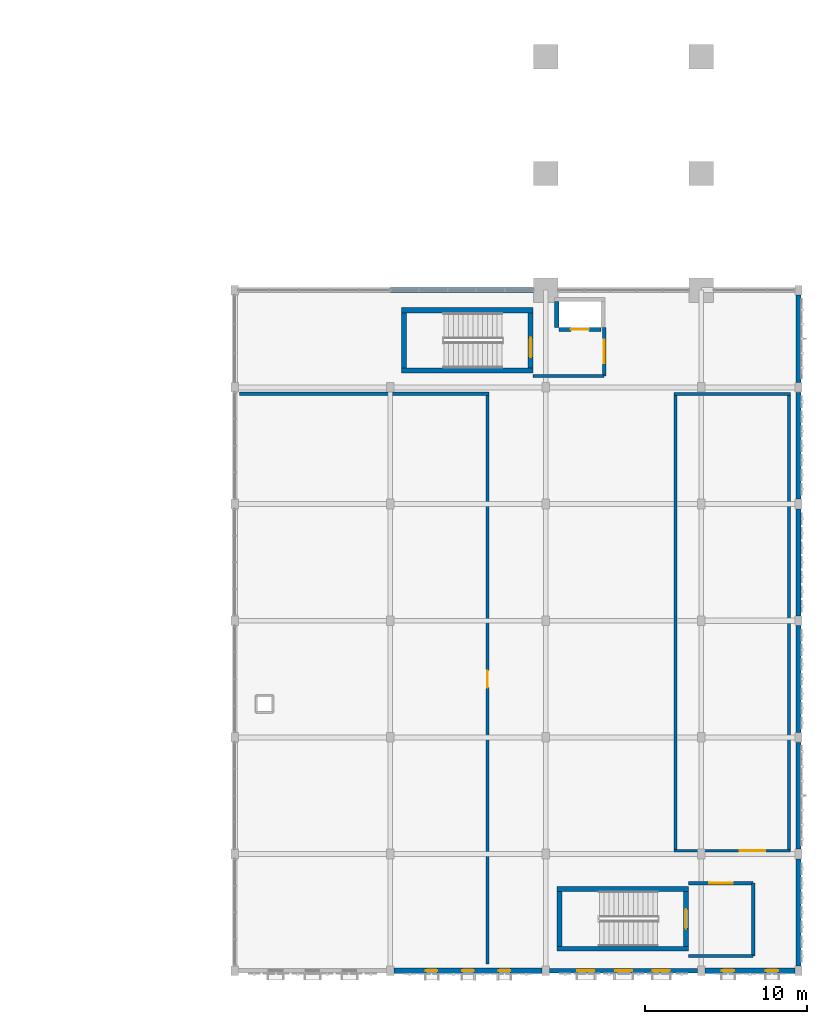
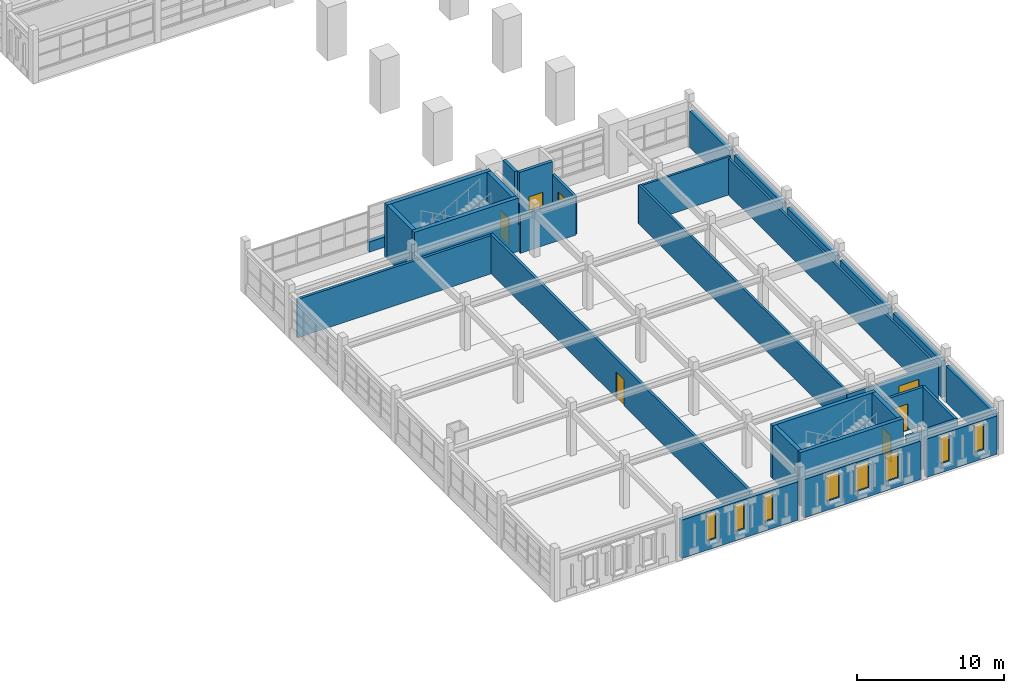
# One storey, part 49 of 69: 31 walls, 8 windows, 7 doors, 15 openings.
"""IFC4 building model written with IfcOpenShell, lengths in metres."""

from ifc_helpers import new_model, si_unit, direction, frame, frame_2d, origin, place, context, subcontext, project, spatial, rectangle, extrude, material, layer, layer_set, type_object, element, fill, save


model = new_model("IFC4")

# Units and contexts
model_context = context("Model", 3, precision=1e-05, world=origin(), true_north=direction((0.0, 1.0)))
body_context = subcontext(model_context, "Body", "Model", "MODEL_VIEW")
ifc_project = project(units=[si_unit("LENGTHUNIT", "METRE"), si_unit("AREAUNIT", "SQUARE_METRE"), si_unit("VOLUMEUNIT", "CUBIC_METRE"), si_unit("PLANEANGLEUNIT", "RADIAN"), si_unit("MASSUNIT", "GRAM", prefix="KILO")], contexts=[model_context])

# Site, building, storey
site_placement = place(None, origin())
site = spatial("IfcSite", under=ifc_project, at=site_placement, CompositionType="ELEMENT")
building_placement = place(site_placement, origin())
building = spatial("IfcBuilding", under=site, at=building_placement, Name="Nzembalo Square Collegiate School", CompositionType="ELEMENT")
storey_placement = place(building_placement, frame((0.0, 0.0, 5.10009765625)))
storey = spatial("IfcBuildingStorey", under=building, at=storey_placement, Name="L01", CompositionType="ELEMENT", Elevation=5.10009765625)

# Walls
ifc_material_1 = material(Name="Concrete C40/50", Category="concrete")
ifc_layer_1 = layer(ifc_material_1, 0.320068359375, Name="Concrete C40/50")
ifc_layer_set_1 = layer_set([ifc_layer_1], Name="Concrete C40/50")
wall_type_1 = type_object("IfcWallType", Name="SW01", PredefinedType="SHEAR", material=ifc_layer_set_1)
wall_1_placement = place(storey_placement, frame((141.239990234375, 45.60009765625, 0.0), z_axis=(0.0, 0.0, 1.0), x_axis=(0.0, 1.0, 0.0)))
element("IfcWall", 1, at=wall_1_placement, inside=storey, type_object=wall_type_1, Name="Core C5 stair shear wall W L01", PredefinedType="SHEAR", context=body_context, shape_type="SweptSolid", body=[
    extrude(rectangle(XDim=3.39990234375, YDim=0.320068359375, at=frame_2d((1.699951171875, 0.0))), origin(), (0.0, 0.0, 1.0), 4.419921875),
])
for number, where, z_axis, x_axis, name in (
    (2, (141.080078125, 45.43994140625, 0.0), (0.0, 0.0, 1.0), (1.0, 0.0, 0.0), "Core C5 stair shear wall S L01"),
    (3, (141.080078125, 49.159912109375, 0.0), (0.0, 0.0, 1.0), (1.0, 0.0, 0.0), "Core C5 stair shear wall N L01"),
):
    element("IfcWall", number, at=place(storey_placement, frame(where, z_axis=z_axis, x_axis=x_axis)), inside=storey, type_object=wall_type_1, Name=name, PredefinedType="SHEAR", context=body_context, shape_type="SweptSolid", body=[
        extrude(rectangle(XDim=8.139892578125, YDim=0.320068359375, at=frame_2d((4.06982421875, 0.0))), origin(), (0.0, 0.0, 1.0), 4.419921875),
    ])

# Wall, opening, door
wall_2_placement = place(storey_placement, frame((149.06005859375, 45.60009765625, 0.0), z_axis=(0.0, 0.0, 1.0), x_axis=(0.0, 1.0, 0.0)))
wall_2 = element("IfcWall", 4, at=wall_2_placement, inside=storey, type_object=wall_type_1, Name="Core C5 stair shear wall E L01", PredefinedType="SHEAR", context=body_context, shape_type="SweptSolid", body=[
    extrude(rectangle(XDim=3.39990234375, YDim=0.320068359375, at=frame_2d((1.699951171875, 0.0))), origin(), (0.0, 0.0, 1.0), 4.419921875),
])
opening_1_placement = place(wall_2_placement, frame((0.64990234375, 0.0, 0.0)))
opening_1 = element("IfcOpeningElement", 5, at=opening_1_placement, cuts=wall_2, Name="Opening FD-048", PredefinedType="OPENING", context=body_context, shape_type="SweptSolid", body=[
    extrude(rectangle(XDim=1.199951171875, YDim=2.199951171875, at=frame_2d((0.60009765625, 1.10009765625))), frame((0.0, 0.169921875, 0.0), z_axis=(0.0, -1.0, 0.0), x_axis=(1.0, 0.0, 0.0)), (0.0, 0.0, 1.0), 0.340087890625),
])
ifc_material_2 = material(Name="Fire-rated steel acoustic door", Category="steel")
door_type_1 = type_object("IfcDoorType", Name="FD01", OperationType="NOTDEFINED", PredefinedType="DOOR", material=ifc_material_2)
door_1_placement = place(opening_1_placement, origin())
door_1 = element("IfcDoor", 6, at=door_1_placement, inside=storey, type_object=door_type_1, Name="Stair fire door FD-048", OperationType="SINGLE_SWING_RIGHT", OverallHeight=2.199951171875, OverallWidth=1.199951171875, PredefinedType="DOOR", context=body_context, shape_type="SweptSolid", body=[
    extrude(rectangle(XDim=1.199951171875, YDim=2.199951171875, at=frame_2d((0.60009765625, 1.10009765625))), frame((0.0, 0.02490234375, 0.0), z_axis=(0.0, -1.0, 0.0), x_axis=(1.0, 0.0, 0.0)), (0.0, 0.0, 1.0), 0.050048828125),
])
fill(opening_1, door_1)

# Walls
ifc_material_3 = material(Name="Concrete C40/50", Category="concrete")
ifc_layer_2 = layer(ifc_material_3, 0.300048828125, Name="Concrete C40/50")
ifc_layer_set_2 = layer_set([ifc_layer_2], Name="Concrete C40/50")
wall_type_2 = type_object("IfcWallType", Name="SW02", PredefinedType="SHEAR", material=ifc_layer_set_2)
wall_3_placement = place(storey_placement, frame((150.85009765625, 9.89990234375, 0.0), z_axis=(0.0, 0.0, 1.0), x_axis=(0.0, 1.0, 0.0)))
element("IfcWall", 7, at=wall_3_placement, inside=storey, type_object=wall_type_2, Name="Core C6 stair shear wall W L01", PredefinedType="SHEAR", context=body_context, shape_type="SweptSolid", body=[
    extrude(rectangle(XDim=3.400146484375, YDim=0.300048828125, at=frame_2d((1.7001953125, 0.0))), origin(), (0.0, 0.0, 1.0), 4.419921875),
])
for number, where, z_axis, x_axis, name in (
    (8, (150.699951171875, 9.75, 0.0), (0.0, 0.0, 1.0), (1.0, 0.0, 0.0), "Core C6 stair shear wall S L01"),
    (9, (150.699951171875, 13.449951171875, 0.0), (0.0, 0.0, 1.0), (1.0, 0.0, 0.0), "Core C6 stair shear wall N L01"),
):
    element("IfcWall", number, at=place(storey_placement, frame(where, z_axis=z_axis, x_axis=x_axis)), inside=storey, type_object=wall_type_2, Name=name, PredefinedType="SHEAR", context=body_context, shape_type="SweptSolid", body=[
        extrude(rectangle(XDim=8.10009765625, YDim=0.300048828125, at=frame_2d((4.050048828125, 0.0))), origin(), (0.0, 0.0, 1.0), 4.419921875),
    ])

# Wall, opening, door
wall_4_placement = place(storey_placement, frame((158.64990234375, 9.89990234375, 0.0), z_axis=(0.0, 0.0, 1.0), x_axis=(0.0, 1.0, 0.0)))
wall_4 = element("IfcWall", 10, at=wall_4_placement, inside=storey, type_object=wall_type_2, Name="Core C6 stair shear wall E L01", PredefinedType="SHEAR", context=body_context, shape_type="SweptSolid", body=[
    extrude(rectangle(XDim=3.400146484375, YDim=0.300048828125, at=frame_2d((1.7001953125, 0.0))), origin(), (0.0, 0.0, 1.0), 4.419921875),
])
opening_2_placement = place(wall_4_placement, frame((1.10009765625, 0.0, 0.0)))
opening_2 = element("IfcOpeningElement", 11, at=opening_2_placement, cuts=wall_4, Name="Opening FD-060", PredefinedType="OPENING", context=body_context, shape_type="SweptSolid", body=[
    extrude(rectangle(XDim=1.199951171875, YDim=2.199951171875, at=frame_2d((0.60009765625, 1.10009765625))), frame((0.0, 0.16015625, 0.0), z_axis=(0.0, -1.0, 0.0), x_axis=(1.0, 0.0, 0.0)), (0.0, 0.0, 1.0), 0.320068359375),
])
door_2_placement = place(opening_2_placement, origin())
door_2 = element("IfcDoor", 12, at=door_2_placement, inside=storey, type_object=door_type_1, Name="Stair fire door FD-060", OperationType="SINGLE_SWING_RIGHT", OverallHeight=2.199951171875, OverallWidth=1.199951171875, PredefinedType="DOOR", context=body_context, shape_type="SweptSolid", body=[
    extrude(rectangle(XDim=1.199951171875, YDim=2.199951171875, at=frame_2d((0.60009765625, 1.10009765625))), frame((0.0, 0.02490234375, 0.0), z_axis=(0.0, -1.0, 0.0), x_axis=(1.0, 0.0, 0.0)), (0.0, 0.0, 1.0), 0.050048828125),
])
fill(opening_2, door_2)

# Wall
ifc_material_4 = material(Name="Concrete C35/45", Category="concrete")
ifc_layer_3 = layer(ifc_material_4, 0.25, Name="Concrete C35/45")
ifc_layer_set_3 = layer_set([ifc_layer_3], Name="Concrete C35/45")
wall_type_3 = type_object("IfcWallType", Name="SW05", PredefinedType="SHEAR", material=ifc_layer_set_3)
wall_5_placement = place(storey_placement, frame((150.675048828125, 48.10009765625, 0.0), z_axis=(0.0, 0.0, 1.0), x_axis=(0.0, 1.0, 0.0)))
element("IfcWall", 13, at=wall_5_placement, inside=storey, type_object=wall_type_3, Name="Lift LF4 shaft wall W L01", PredefinedType="SHEAR", context=body_context, shape_type="SweptSolid", body=[
    extrude(rectangle(XDim=1.599853515625, YDim=0.25, at=frame_2d((0.7998046875, 0.0))), origin(), (0.0, 0.0, 1.0), 4.419921875),
])

# Wall, opening, door
wall_6_placement = place(storey_placement, frame((150.800048828125, 47.97509765625, 0.0), z_axis=(0.0, 0.0, 1.0), x_axis=(1.0, 0.0, 0.0)))
wall_6 = element("IfcWall", 14, at=wall_6_placement, inside=storey, type_object=wall_type_3, Name="Lift LF4 landing front wall L01", PredefinedType="SHEAR", context=body_context, shape_type="SweptSolid", body=[
    extrude(rectangle(XDim=2.599853515625, YDim=0.25, at=frame_2d((1.2998046875, 0.0))), origin(), (0.0, 0.0, 1.0), 4.419921875),
])
opening_3_placement = place(wall_6_placement, frame((0.75, 0.0, 0.0)))
opening_3 = element("IfcOpeningElement", 15, at=opening_3_placement, cuts=wall_6, Name="Opening LD-LF4-L01", PredefinedType="OPENING", context=body_context, shape_type="SweptSolid", body=[
    extrude(rectangle(XDim=1.10009765625, YDim=2.14990234375, at=frame_2d((0.550048828125, 1.074951171875))), frame((0.0, 0.135009765625, 0.0), z_axis=(0.0, -1.0, 0.0), x_axis=(1.0, 0.0, 0.0)), (0.0, 0.0, 1.0), 0.27001953125),
])
ifc_material_5 = material(Name="Stainless-steel sliding landing door", Category="steel")
door_type_2 = type_object("IfcDoorType", Name="LD01", OperationType="DOUBLE_DOOR_SLIDING", PredefinedType="DOOR", material=ifc_material_5)
door_3_placement = place(opening_3_placement, origin())
door_3 = element("IfcDoor", 16, at=door_3_placement, inside=storey, type_object=door_type_2, Name="Sliding lift landing door LD-LF4-L01", OperationType="DOUBLE_DOOR_SLIDING", OverallHeight=2.14990234375, OverallWidth=1.10009765625, PredefinedType="DOOR", context=body_context, shape_type="SweptSolid", body=[
    extrude(rectangle(XDim=1.10009765625, YDim=2.14990234375, at=frame_2d((0.550048828125, 1.074951171875))), frame((0.0, 0.02490234375, 0.0), z_axis=(0.0, -1.0, 0.0), x_axis=(1.0, 0.0, 0.0)), (0.0, 0.0, 1.0), 0.050048828125),
])
fill(opening_3, door_3)

# Walls
ifc_material_6 = material(Name="Concrete C35/45", Category="concrete")
ifc_layer_4 = layer(ifc_material_6, 0.320068359375, Name="Concrete C35/45")
ifc_layer_set_4 = layer_set([ifc_layer_4], Name="Concrete C35/45")
wall_type_4 = type_object("IfcWallType", Name="W03", PredefinedType="SOLIDWALL", material=ifc_layer_set_4)
for number, where, z_axis, x_axis, name in (
    (17, (165.60009765625, 15.902099609375, 0.0), (0.0, 0.0, 1.0), (0.0, 1.0, 0.0), "Exterior wall W03 L01"),
    (18, (165.60009765625, 30.302001953125, 0.0), (0.0, 0.0, 1.0), (0.0, 1.0, 0.0), "Exterior wall W03 L01"),
):
    element("IfcWall", number, at=place(storey_placement, frame(where, z_axis=z_axis, x_axis=x_axis)), inside=storey, type_object=wall_type_4, Name=name, PredefinedType="SOLIDWALL", context=body_context, shape_type="SweptSolid", body=[
        extrude(rectangle(XDim=6.595947265625, YDim=0.320068359375, at=frame_2d((3.2978515625, 0.0))), origin(), (0.0, 0.0, 1.0), 3.02392578125),
    ])
wall_7_placement = place(storey_placement, frame((165.60009765625, 44.701904296875, 0.0), z_axis=(0.0, 0.0, 1.0), x_axis=(0.0, 1.0, 0.0)))
element("IfcWall", 19, at=wall_7_placement, inside=storey, type_object=wall_type_4, Name="Exterior wall W03 L01", PredefinedType="SOLIDWALL", context=body_context, shape_type="SweptSolid", body=[
    extrude(rectangle(XDim=5.39599609375, YDim=0.320068359375, at=frame_2d((2.697998046875, 0.0))), origin(), (0.0, 0.0, 1.0), 3.02392578125),
])

# Wall, openings, windows
wall_8_placement = place(storey_placement, frame((140.626953125, 8.39990234375, 0.0), z_axis=(0.0, 0.0, 1.0), x_axis=(1.0, 0.0, 0.0)))
wall_8 = element("IfcWall", 20, at=wall_8_placement, inside=storey, type_object=wall_type_4, Name="Exterior wall W03 L01", PredefinedType="SOLIDWALL", context=body_context, shape_type="SweptSolid", body=[
    extrude(rectangle(XDim=9.14599609375, YDim=0.320068359375, at=frame_2d((4.572998046875, 0.0))), origin(), (0.0, 0.0, 1.0), 3.183837890625),
])
opening_4_placement = place(wall_8_placement, frame((1.966552734375, 0.0, 0.75)))
opening_4 = element("IfcOpeningElement", 21, at=opening_4_placement, cuts=wall_8, Name="Opening WN-L01-214", PredefinedType="OPENING", context=body_context, shape_type="SweptSolid", body=[
    extrude(rectangle(XDim=0.719970703125, YDim=2.239990234375, at=frame_2d((0.35986328125, 1.1201171875))), frame((0.0, 0.169921875, 0.0), z_axis=(0.0, -1.0, 0.0), x_axis=(1.0, 0.0, 0.0)), (0.0, 0.0, 1.0), 0.340087890625),
])
opening_5_placement = place(wall_8_placement, frame((4.212890625, 0.0, 0.75)))
opening_5 = element("IfcOpeningElement", 22, at=opening_5_placement, cuts=wall_8, Name="Opening WN-L01-215", PredefinedType="OPENING", context=body_context, shape_type="SweptSolid", body=[
    extrude(rectangle(XDim=0.719970703125, YDim=2.239990234375, at=frame_2d((0.35986328125, 1.1201171875))), frame((0.0, 0.169921875, 0.0), z_axis=(0.0, -1.0, 0.0), x_axis=(1.0, 0.0, 0.0)), (0.0, 0.0, 1.0), 0.340087890625),
])
opening_6_placement = place(wall_8_placement, frame((6.45947265625, 0.0, 0.75)))
opening_6 = element("IfcOpeningElement", 23, at=opening_6_placement, cuts=wall_8, Name="Opening WN-L01-216", PredefinedType="OPENING", context=body_context, shape_type="SweptSolid", body=[
    extrude(rectangle(XDim=0.719970703125, YDim=2.239990234375, at=frame_2d((0.35986328125, 1.1201171875))), frame((0.0, 0.169921875, 0.0), z_axis=(0.0, -1.0, 0.0), x_axis=(1.0, 0.0, 0.0)), (0.0, 0.0, 1.0), 0.340087890625),
])
ifc_material_7 = material(Name="Powder-coated aluminium and low-E double glazing", Category="aluminium")
window_type_1 = type_object("IfcWindowType", Name="WN67", PartitioningType="SINGLE_PANEL", PredefinedType="WINDOW", material=ifc_material_7)
window_1_placement = place(opening_4_placement, origin())
window_1 = element("IfcWindow", 24, at=window_1_placement, inside=storey, type_object=window_type_1, Name="Lancet window WN-L01-214", OverallHeight=2.239990234375, OverallWidth=0.719970703125, PartitioningType="SINGLE_PANEL", PredefinedType="WINDOW", context=body_context, shape_type="SweptSolid", body=[
    extrude(rectangle(XDim=0.719970703125, YDim=2.239990234375, at=frame_2d((0.35986328125, 1.1201171875))), frame((0.0, 0.030029296875, 0.0), z_axis=(0.0, -1.0, 0.0), x_axis=(1.0, 0.0, 0.0)), (0.0, 0.0, 1.0), 0.06005859375),
])
fill(opening_4, window_1)
window_2_placement = place(opening_5_placement, origin())
window_2 = element("IfcWindow", 25, at=window_2_placement, inside=storey, type_object=window_type_1, Name="Lancet window WN-L01-215", OverallHeight=2.239990234375, OverallWidth=0.719970703125, PartitioningType="SINGLE_PANEL", PredefinedType="WINDOW", context=body_context, shape_type="SweptSolid", body=[
    extrude(rectangle(XDim=0.719970703125, YDim=2.239990234375, at=frame_2d((0.35986328125, 1.1201171875))), frame((0.0, 0.030029296875, 0.0), z_axis=(0.0, -1.0, 0.0), x_axis=(1.0, 0.0, 0.0)), (0.0, 0.0, 1.0), 0.06005859375),
])
fill(opening_5, window_2)
window_3_placement = place(opening_6_placement, origin())
window_3 = element("IfcWindow", 26, at=window_3_placement, inside=storey, type_object=window_type_1, Name="Lancet window WN-L01-216", OverallHeight=2.239990234375, OverallWidth=0.719970703125, PartitioningType="SINGLE_PANEL", PredefinedType="WINDOW", context=body_context, shape_type="SweptSolid", body=[
    extrude(rectangle(XDim=0.719970703125, YDim=2.239990234375, at=frame_2d((0.35986328125, 1.1201171875))), frame((0.0, 0.030029296875, 0.0), z_axis=(0.0, -1.0, 0.0), x_axis=(1.0, 0.0, 0.0)), (0.0, 0.0, 1.0), 0.06005859375),
])
fill(opening_6, window_3)

wall_9_placement = place(storey_placement, frame((159.826904296875, 8.39990234375, 0.0), z_axis=(0.0, 0.0, 1.0), x_axis=(1.0, 0.0, 0.0)))
wall_9 = element("IfcWall", 27, at=wall_9_placement, inside=storey, type_object=wall_type_4, Name="Exterior wall W03 L01", PredefinedType="SOLIDWALL", context=body_context, shape_type="SweptSolid", body=[
    extrude(rectangle(XDim=5.546142578125, YDim=0.320068359375, at=frame_2d((2.77294921875, 0.0))), origin(), (0.0, 0.0, 1.0), 3.183837890625),
])
opening_7_placement = place(wall_9_placement, frame((1.0439453125, 0.0, 0.75)))
opening_7 = element("IfcOpeningElement", 28, at=opening_7_placement, cuts=wall_9, Name="Opening WN-L01-222", PredefinedType="OPENING", context=body_context, shape_type="SweptSolid", body=[
    extrude(rectangle(XDim=0.75, YDim=2.300048828125, at=frame_2d((0.375, 1.14990234375))), frame((0.0, 0.169921875, 0.0), z_axis=(0.0, -1.0, 0.0), x_axis=(1.0, 0.0, 0.0)), (0.0, 0.0, 1.0), 0.340087890625),
])
opening_8_placement = place(wall_9_placement, frame((3.751953125, 0.0, 0.75)))
opening_8 = element("IfcOpeningElement", 29, at=opening_8_placement, cuts=wall_9, Name="Opening WN-L01-223", PredefinedType="OPENING", context=body_context, shape_type="SweptSolid", body=[
    extrude(rectangle(XDim=0.75, YDim=2.300048828125, at=frame_2d((0.375, 1.14990234375))), frame((0.0, 0.169921875, 0.0), z_axis=(0.0, -1.0, 0.0), x_axis=(1.0, 0.0, 0.0)), (0.0, 0.0, 1.0), 0.340087890625),
])
ifc_material_8 = material(Name="Powder-coated aluminium and low-E double glazing", Category="aluminium")
window_type_2 = type_object("IfcWindowType", Name="WN01", PartitioningType="SINGLE_PANEL", PredefinedType="WINDOW", material=ifc_material_8)
window_4_placement = place(opening_7_placement, origin())
window_4 = element("IfcWindow", 30, at=window_4_placement, inside=storey, type_object=window_type_2, Name="Lancet window WN-L01-222", OverallHeight=2.300048828125, OverallWidth=0.75, PartitioningType="SINGLE_PANEL", PredefinedType="WINDOW", context=body_context, shape_type="SweptSolid", body=[
    extrude(rectangle(XDim=0.75, YDim=2.300048828125, at=frame_2d((0.375, 1.14990234375))), frame((0.0, 0.030029296875, 0.0), z_axis=(0.0, -1.0, 0.0), x_axis=(1.0, 0.0, 0.0)), (0.0, 0.0, 1.0), 0.06005859375),
])
fill(opening_7, window_4)
window_5_placement = place(opening_8_placement, origin())
window_5 = element("IfcWindow", 31, at=window_5_placement, inside=storey, type_object=window_type_2, Name="Lancet window WN-L01-223", OverallHeight=2.300048828125, OverallWidth=0.75, PartitioningType="SINGLE_PANEL", PredefinedType="WINDOW", context=body_context, shape_type="SweptSolid", body=[
    extrude(rectangle(XDim=0.75, YDim=2.300048828125, at=frame_2d((0.375, 1.14990234375))), frame((0.0, 0.030029296875, 0.0), z_axis=(0.0, -1.0, 0.0), x_axis=(1.0, 0.0, 0.0)), (0.0, 0.0, 1.0), 0.06005859375),
])
fill(opening_8, window_5)

# Walls
wall_10_placement = place(storey_placement, frame((140.39990234375, 50.39990234375, 0.0), z_axis=(0.0, 0.0, 1.0), x_axis=(1.0, 0.0, 0.0)))
element("IfcWall", 32, at=wall_10_placement, inside=storey, type_object=wall_type_4, Name="Spandrel wall W03 L01", PredefinedType="SOLIDWALL", context=body_context, shape_type="SweptSolid", body=[
    extrude(rectangle(XDim=8.84814453125, YDim=0.320068359375, at=frame_2d((4.424072265625, 0.0))), origin(), (0.0, 0.0, 1.0), 0.849853515625),
])
ifc_material_9 = material(Name="Concrete C35/45", Category="concrete")
ifc_layer_5 = layer(ifc_material_9, 0.300048828125, Name="Concrete C35/45")
ifc_layer_set_5 = layer_set([ifc_layer_5], Name="Concrete C35/45")
wall_type_5 = type_object("IfcWallType", Name="W04", PredefinedType="SOLIDWALL", material=ifc_layer_set_5)
wall_11_placement = place(storey_placement, frame((165.60009765625, 8.701904296875, 0.0), z_axis=(0.0, 0.0, 1.0), x_axis=(0.0, 1.0, 0.0)))
element("IfcWall", 33, at=wall_11_placement, inside=storey, type_object=wall_type_5, Name="Exterior wall W04 L01", PredefinedType="SOLIDWALL", context=body_context, shape_type="SweptSolid", body=[
    extrude(rectangle(XDim=6.59619140625, YDim=0.300048828125, at=frame_2d((3.298095703125, 0.0))), origin(), (0.0, 0.0, 1.0), 3.02392578125),
])
for number, where, z_axis, x_axis, name in (
    (34, (165.60009765625, 23.10205078125, 0.0), (0.0, 0.0, 1.0), (0.0, 1.0, 0.0), "Exterior wall W04 L01"),
    (35, (165.60009765625, 37.501953125, 0.0), (0.0, 0.0, 1.0), (0.0, 1.0, 0.0), "Exterior wall W04 L01"),
):
    element("IfcWall", number, at=place(storey_placement, frame(where, z_axis=z_axis, x_axis=x_axis)), inside=storey, type_object=wall_type_5, Name=name, PredefinedType="SOLIDWALL", context=body_context, shape_type="SweptSolid", body=[
        extrude(rectangle(XDim=6.595947265625, YDim=0.300048828125, at=frame_2d((3.2978515625, 0.0))), origin(), (0.0, 0.0, 1.0), 3.02392578125),
    ])

# Wall, openings, windows
wall_12_placement = place(storey_placement, frame((150.22705078125, 8.39990234375, 0.0), z_axis=(0.0, 0.0, 1.0), x_axis=(1.0, 0.0, 0.0)))
wall_12 = element("IfcWall", 36, at=wall_12_placement, inside=storey, type_object=wall_type_5, Name="Exterior wall W04 L01", PredefinedType="SOLIDWALL", context=body_context, shape_type="SweptSolid", body=[
    extrude(rectangle(XDim=9.14599609375, YDim=0.300048828125, at=frame_2d((4.572998046875, 0.0))), origin(), (0.0, 0.0, 1.0), 3.183837890625),
])
opening_9_placement = place(wall_12_placement, frame((1.7265625, 0.0, 0.75)))
opening_9 = element("IfcOpeningElement", 37, at=opening_9_placement, cuts=wall_12, Name="Opening WN-L01-217", PredefinedType="OPENING", context=body_context, shape_type="SweptSolid", body=[
    extrude(rectangle(XDim=1.0400390625, YDim=2.179931640625, at=frame_2d((0.52001953125, 1.08984375))), frame((0.0, 0.16015625, 0.0), z_axis=(0.0, -1.0, 0.0), x_axis=(1.0, 0.0, 0.0)), (0.0, 0.0, 1.0), 0.320068359375),
])
opening_10_placement = place(wall_12_placement, frame((4.052978515625, 0.0, 0.75)))
opening_10 = element("IfcOpeningElement", 38, at=opening_10_placement, cuts=wall_12, Name="Opening WN-L01-218", PredefinedType="OPENING", context=body_context, shape_type="SweptSolid", body=[
    extrude(rectangle(XDim=1.0400390625, YDim=2.179931640625, at=frame_2d((0.52001953125, 1.08984375))), frame((0.0, 0.16015625, 0.0), z_axis=(0.0, -1.0, 0.0), x_axis=(1.0, 0.0, 0.0)), (0.0, 0.0, 1.0), 0.320068359375),
])
opening_11_placement = place(wall_12_placement, frame((6.37939453125, 0.0, 0.75)))
opening_11 = element("IfcOpeningElement", 39, at=opening_11_placement, cuts=wall_12, Name="Opening WN-L01-219", PredefinedType="OPENING", context=body_context, shape_type="SweptSolid", body=[
    extrude(rectangle(XDim=1.0400390625, YDim=2.179931640625, at=frame_2d((0.52001953125, 1.08984375))), frame((0.0, 0.16015625, 0.0), z_axis=(0.0, -1.0, 0.0), x_axis=(1.0, 0.0, 0.0)), (0.0, 0.0, 1.0), 0.320068359375),
])
ifc_material_10 = material(Name="Powder-coated aluminium and low-E double glazing", Category="aluminium")
window_type_3 = type_object("IfcWindowType", Name="WN70", PartitioningType="SINGLE_PANEL", PredefinedType="WINDOW", material=ifc_material_10)
window_6_placement = place(opening_9_placement, origin())
window_6 = element("IfcWindow", 40, at=window_6_placement, inside=storey, type_object=window_type_3, Name="Lancet window WN-L01-217", OverallHeight=2.179931640625, OverallWidth=1.0400390625, PartitioningType="SINGLE_PANEL", PredefinedType="WINDOW", context=body_context, shape_type="SweptSolid", body=[
    extrude(rectangle(XDim=1.0400390625, YDim=2.179931640625, at=frame_2d((0.52001953125, 1.08984375))), frame((0.0, 0.030029296875, 0.0), z_axis=(0.0, -1.0, 0.0), x_axis=(1.0, 0.0, 0.0)), (0.0, 0.0, 1.0), 0.06005859375),
])
fill(opening_9, window_6)
window_7_placement = place(opening_10_placement, origin())
window_7 = element("IfcWindow", 41, at=window_7_placement, inside=storey, type_object=window_type_3, Name="Lancet window WN-L01-218", OverallHeight=2.179931640625, OverallWidth=1.0400390625, PartitioningType="SINGLE_PANEL", PredefinedType="WINDOW", context=body_context, shape_type="SweptSolid", body=[
    extrude(rectangle(XDim=1.0400390625, YDim=2.179931640625, at=frame_2d((0.52001953125, 1.08984375))), frame((0.0, 0.030029296875, 0.0), z_axis=(0.0, -1.0, 0.0), x_axis=(1.0, 0.0, 0.0)), (0.0, 0.0, 1.0), 0.06005859375),
])
fill(opening_10, window_7)
window_8_placement = place(opening_11_placement, origin())
window_8 = element("IfcWindow", 42, at=window_8_placement, inside=storey, type_object=window_type_3, Name="Lancet window WN-L01-219", OverallHeight=2.179931640625, OverallWidth=1.0400390625, PartitioningType="SINGLE_PANEL", PredefinedType="WINDOW", context=body_context, shape_type="SweptSolid", body=[
    extrude(rectangle(XDim=1.0400390625, YDim=2.179931640625, at=frame_2d((0.52001953125, 1.08984375))), frame((0.0, 0.030029296875, 0.0), z_axis=(0.0, -1.0, 0.0), x_axis=(1.0, 0.0, 0.0)), (0.0, 0.0, 1.0), 0.06005859375),
])
fill(opening_11, window_8)

# Wall, opening, door
ifc_material_11 = material(Name="Concrete blockwork C25/30", Category="masonry")
ifc_layer_6 = layer(ifc_material_11, 0.199951171875, Name="Concrete blockwork C25/30")
ifc_layer_set_6 = layer_set([ifc_layer_6], Name="Concrete blockwork C25/30")
wall_type_6 = type_object("IfcWallType", Name="W11", PredefinedType="PARTITIONING", material=ifc_layer_set_6)
wall_13_placement = place(storey_placement, frame((153.60009765625, 45.10009765625, 0.0), z_axis=(0.0, 0.0, 1.0), x_axis=(0.0, 1.0, 0.0)))
wall_13 = element("IfcWall", 43, at=wall_13_placement, inside=storey, type_object=wall_type_6, Name="Core C5 EI 60 lobby wall E L01", PredefinedType="PARTITIONING", context=body_context, shape_type="SweptSolid", body=[
    extrude(rectangle(XDim=3.0, YDim=0.199951171875, at=frame_2d((1.5, 0.0))), origin(), (0.0, 0.0, 1.0), 3.183837890625),
])
opening_12_placement = place(wall_13_placement, frame((0.77490234375, 0.0, 0.0)))
opening_12 = element("IfcOpeningElement", 44, at=opening_12_placement, cuts=wall_13, Name="Opening FD-049", PredefinedType="OPENING", context=body_context, shape_type="SweptSolid", body=[
    extrude(rectangle(XDim=1.449951171875, YDim=2.199951171875, at=frame_2d((0.72509765625, 1.10009765625))), frame((0.0, 0.10986328125, 0.0), z_axis=(0.0, -1.0, 0.0), x_axis=(1.0, 0.0, 0.0)), (0.0, 0.0, 1.0), 0.219970703125),
])
ifc_material_12 = material(Name="Fire-rated double lobby door")
door_type_3 = type_object("IfcDoorType", Name="FD02", OperationType="DOUBLE_DOOR_SINGLE_SWING", PredefinedType="DOOR", material=ifc_material_12)
door_4_placement = place(opening_12_placement, frame((1.449951171875, 0.0, 0.0), z_axis=(0.0, 0.0, 1.0), x_axis=(-1.0, 0.0, 0.0)))
door_4 = element("IfcDoor", 45, at=door_4_placement, inside=storey, type_object=door_type_3, Name="Protected lobby fire door FD-049", OperationType="DOUBLE_DOOR_SINGLE_SWING", OverallHeight=2.199951171875, OverallWidth=1.449951171875, PredefinedType="DOOR", context=body_context, shape_type="SweptSolid", body=[
    extrude(rectangle(XDim=1.449951171875, YDim=2.199951171875, at=frame_2d((0.72509765625, 1.10009765625))), frame((0.0, 0.02490234375, 0.0), z_axis=(0.0, -1.0, 0.0), x_axis=(1.0, 0.0, 0.0)), (0.0, 0.0, 1.0), 0.050048828125),
])
fill(opening_12, door_4)

# Walls
wall_14_placement = place(storey_placement, frame((149.219970703125, 45.10009765625, 0.0), z_axis=(0.0, 0.0, 1.0), x_axis=(1.0, 0.0, 0.0)))
element("IfcWall", 46, at=wall_14_placement, inside=storey, type_object=wall_type_6, Name="Core C5 EI 60 lobby wall S L01", PredefinedType="PARTITIONING", context=body_context, shape_type="SweptSolid", body=[
    extrude(rectangle(XDim=4.380126953125, YDim=0.199951171875, at=frame_2d((2.18994140625, 0.0))), origin(), (0.0, 0.0, 1.0), 3.183837890625),
])
wall_15_placement = place(storey_placement, frame((162.800048828125, 9.300048828125, 0.0), z_axis=(0.0, 0.0, 1.0), x_axis=(0.0, 1.0, 0.0)))
element("IfcWall", 47, at=wall_15_placement, inside=storey, type_object=wall_type_6, Name="Core C6 EI 60 lobby wall E L01", PredefinedType="PARTITIONING", context=body_context, shape_type="SweptSolid", body=[
    extrude(rectangle(XDim=4.5, YDim=0.199951171875, at=frame_2d((2.25, 0.0))), origin(), (0.0, 0.0, 1.0), 3.183837890625),
])
wall_16_placement = place(storey_placement, frame((158.800048828125, 9.300048828125, 0.0), z_axis=(0.0, 0.0, 1.0), x_axis=(1.0, 0.0, 0.0)))
element("IfcWall", 48, at=wall_16_placement, inside=storey, type_object=wall_type_6, Name="Core C6 EI 60 lobby wall S L01", PredefinedType="PARTITIONING", context=body_context, shape_type="SweptSolid", body=[
    extrude(rectangle(XDim=4.0, YDim=0.199951171875, at=frame_2d((2.0, 0.0))), origin(), (0.0, 0.0, 1.0), 3.183837890625),
])

# Wall, opening, door
wall_17_placement = place(storey_placement, frame((158.800048828125, 13.800048828125, 0.0), z_axis=(0.0, 0.0, 1.0), x_axis=(1.0, 0.0, 0.0)))
wall_17 = element("IfcWall", 49, at=wall_17_placement, inside=storey, type_object=wall_type_6, Name="Core C6 EI 60 lobby wall N L01", PredefinedType="PARTITIONING", context=body_context, shape_type="SweptSolid", body=[
    extrude(rectangle(XDim=4.0, YDim=0.199951171875, at=frame_2d((2.0, 0.0))), origin(), (0.0, 0.0, 1.0), 3.183837890625),
])
opening_13_placement = place(wall_17_placement, frame((1.27490234375, 0.0, 0.0)))
opening_13 = element("IfcOpeningElement", 50, at=opening_13_placement, cuts=wall_17, Name="Opening FD-061", PredefinedType="OPENING", context=body_context, shape_type="SweptSolid", body=[
    extrude(rectangle(XDim=1.449951171875, YDim=2.199951171875, at=frame_2d((0.72509765625, 1.10009765625))), frame((0.0, 0.10986328125, 0.0), z_axis=(0.0, -1.0, 0.0), x_axis=(1.0, 0.0, 0.0)), (0.0, 0.0, 1.0), 0.219970703125),
])
door_5_placement = place(opening_13_placement, origin())
door_5 = element("IfcDoor", 51, at=door_5_placement, inside=storey, type_object=door_type_3, Name="Protected lobby fire door FD-061", OperationType="DOUBLE_DOOR_SINGLE_SWING", OverallHeight=2.199951171875, OverallWidth=1.449951171875, PredefinedType="DOOR", context=body_context, shape_type="SweptSolid", body=[
    extrude(rectangle(XDim=1.449951171875, YDim=2.199951171875, at=frame_2d((0.72509765625, 1.10009765625))), frame((0.0, 0.02490234375, 0.0), z_axis=(0.0, -1.0, 0.0), x_axis=(1.0, 0.0, 0.0)), (0.0, 0.0, 1.0), 0.050048828125),
])
fill(opening_13, door_5)

ifc_material_13 = material(Name="Acoustic gypsum and steel stud", Category="steel")
ifc_layer_7 = layer(ifc_material_13, 0.175048828125, Name="Acoustic gypsum and steel stud")
ifc_layer_set_7 = layer_set([ifc_layer_7], Name="Acoustic gypsum and steel stud")
wall_type_7 = type_object("IfcWallType", Name="W14", PredefinedType="PARTITIONING", material=ifc_layer_set_7)
wall_18_placement = place(storey_placement, frame((157.91259765625, 15.800048828125, 0.0), z_axis=(0.0, 0.0, 1.0), x_axis=(1.0, 0.0, 0.0)))
wall_18 = element("IfcWall", 52, at=wall_18_placement, inside=storey, type_object=wall_type_7, Name="Interior partition W14 L01-044-S", PredefinedType="PARTITIONING", context=body_context, shape_type="SweptSolid", body=[
    extrude(rectangle(XDim=7.1748046875, YDim=0.175048828125, at=frame_2d((3.58740234375, 0.0))), origin(), (0.0, 0.0, 1.0), 3.02392578125),
])
opening_14_placement = place(wall_18_placement, frame((4.0673828125, 0.0, 0.0)))
opening_14 = element("IfcOpeningElement", 53, at=opening_14_placement, cuts=wall_18, Name="Opening D-L01-051", PredefinedType="OPENING", context=body_context, shape_type="SweptSolid", body=[
    extrude(rectangle(XDim=1.56005859375, YDim=2.300048828125, at=frame_2d((0.780029296875, 1.14990234375))), frame((0.0, 0.09765625, 0.0), z_axis=(0.0, -1.0, 0.0), x_axis=(1.0, 0.0, 0.0)), (0.0, 0.0, 1.0), 0.195068359375),
])
ifc_material_14 = material(Name="Glazed timber library entrance door", Category="wood")
door_type_4 = type_object("IfcDoorType", Name="D06", OperationType="DOUBLE_DOOR_SINGLE_SWING", PredefinedType="DOOR", material=ifc_material_14)
door_6_placement = place(opening_14_placement, origin())
door_6 = element("IfcDoor", 54, at=door_6_placement, inside=storey, type_object=door_type_4, Name="Interior door D-L01-051 (Upper Library Quiet Reading Room)", OperationType="DOUBLE_DOOR_SINGLE_SWING", OverallHeight=2.300048828125, OverallWidth=1.56005859375, PredefinedType="DOOR", context=body_context, shape_type="SweptSolid", body=[
    extrude(rectangle(XDim=1.56005859375, YDim=2.300048828125, at=frame_2d((0.780029296875, 1.14990234375))), frame((0.0, 0.02490234375, 0.0), z_axis=(0.0, -1.0, 0.0), x_axis=(1.0, 0.0, 0.0)), (0.0, 0.0, 1.0), 0.050048828125),
])
fill(opening_14, door_6)

# Walls
wall_19_placement = place(storey_placement, frame((157.91259765625, 44.0, 0.0), z_axis=(0.0, 0.0, 1.0), x_axis=(1.0, 0.0, 0.0)))
element("IfcWall", 55, at=wall_19_placement, inside=storey, type_object=wall_type_7, Name="Interior partition W14 L01-044-N", PredefinedType="PARTITIONING", context=body_context, shape_type="SweptSolid", body=[
    extrude(rectangle(XDim=7.1748046875, YDim=0.175048828125, at=frame_2d((3.58740234375, 0.0))), origin(), (0.0, 0.0, 1.0), 3.183837890625),
])
wall_20_placement = place(storey_placement, frame((158.0, 15.800048828125, 0.0), z_axis=(0.0, 0.0, 1.0), x_axis=(0.0, 1.0, 0.0)))
element("IfcWall", 56, at=wall_20_placement, inside=storey, type_object=wall_type_7, Name="Interior partition W14 L01-044-W", PredefinedType="PARTITIONING", context=body_context, shape_type="SweptSolid", body=[
    extrude(rectangle(XDim=28.199951171875, YDim=0.175048828125, at=frame_2d((14.10009765625, 0.0))), origin(), (0.0, 0.0, 1.0), 3.243896484375),
])
wall_21_placement = place(storey_placement, frame((165.0, 15.800048828125, 0.0), z_axis=(0.0, 0.0, 1.0), x_axis=(0.0, 1.0, 0.0)))
element("IfcWall", 57, at=wall_21_placement, inside=storey, type_object=wall_type_7, Name="Interior partition W14 L01-044-E", PredefinedType="PARTITIONING", context=body_context, shape_type="SweptSolid", body=[
    extrude(rectangle(XDim=28.199951171875, YDim=0.175048828125, at=frame_2d((14.10009765625, 0.0))), origin(), (0.0, 0.0, 1.0), 3.02392578125),
])
ifc_material_15 = material(Name="Concrete blockwork C25/30", Category="masonry")
ifc_layer_8 = layer(ifc_material_15, 0.205078125, Name="Concrete blockwork C25/30")
ifc_layer_set_8 = layer_set([ifc_layer_8], Name="Concrete blockwork C25/30")
wall_type_8 = type_object("IfcWallType", Name="W21", PredefinedType="PARTITIONING", material=ifc_layer_set_8)
wall_22_placement = place(storey_placement, frame((131.097412109375, 44.0, 0.0), z_axis=(0.0, 0.0, 1.0), x_axis=(1.0, 0.0, 0.0)))
element("IfcWall", 58, at=wall_22_placement, inside=storey, type_object=wall_type_8, Name="Interior partition W21 L01-043-N", PredefinedType="PARTITIONING", context=body_context, shape_type="SweptSolid", body=[
    extrude(rectangle(XDim=15.405029296875, YDim=0.205078125, at=frame_2d((7.70263671875, 0.0))), origin(), (0.0, 0.0, 1.0), 3.183837890625),
])

# Wall, opening, door
wall_23_placement = place(storey_placement, frame((146.39990234375, 8.800048828125, 0.0), z_axis=(0.0, 0.0, 1.0), x_axis=(0.0, 1.0, 0.0)))
wall_23 = element("IfcWall", 59, at=wall_23_placement, inside=storey, type_object=wall_type_8, Name="Interior partition W21 L01-043-E", PredefinedType="PARTITIONING", context=body_context, shape_type="SweptSolid", body=[
    extrude(rectangle(XDim=35.199951171875, YDim=0.205078125, at=frame_2d((17.60009765625, 0.0))), origin(), (0.0, 0.0, 1.0), 3.243896484375),
])
opening_15_placement = place(wall_23_placement, frame((17.074951171875, 0.0, 0.0)))
opening_15 = element("IfcOpeningElement", 60, at=opening_15_placement, cuts=wall_23, Name="Opening D-L01-050", PredefinedType="OPENING", context=body_context, shape_type="SweptSolid", body=[
    extrude(rectangle(XDim=1.050048828125, YDim=2.14990234375, at=frame_2d((0.52490234375, 1.074951171875))), frame((0.0, 0.112548828125, 0.0), z_axis=(0.0, -1.0, 0.0), x_axis=(1.0, 0.0, 0.0)), (0.0, 0.0, 1.0), 0.22509765625),
])
ifc_material_16 = material(Name="Fire-rated steel store door", Category="steel")
door_type_5 = type_object("IfcDoorType", Name="FD03", OperationType="NOTDEFINED", PredefinedType="DOOR", material=ifc_material_16)
door_7_placement = place(opening_15_placement, origin())
door_7 = element("IfcDoor", 61, at=door_7_placement, inside=storey, type_object=door_type_5, Name="Interior door D-L01-050 (Library Dense Book Stacks Hall)", OperationType="SINGLE_SWING_RIGHT", OverallHeight=2.14990234375, OverallWidth=1.050048828125, PredefinedType="DOOR", context=body_context, shape_type="SweptSolid", body=[
    extrude(rectangle(XDim=1.050048828125, YDim=2.14990234375, at=frame_2d((0.52490234375, 1.074951171875))), frame((0.0, 0.02490234375, 0.0), z_axis=(0.0, -1.0, 0.0), x_axis=(1.0, 0.0, 0.0)), (0.0, 0.0, 1.0), 0.050048828125),
])
fill(opening_15, door_7)

save(model, "model.ifc")
